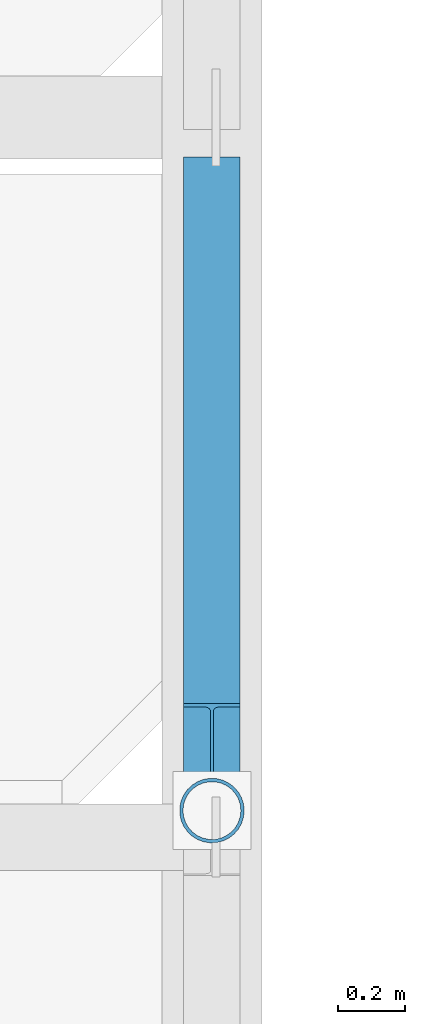
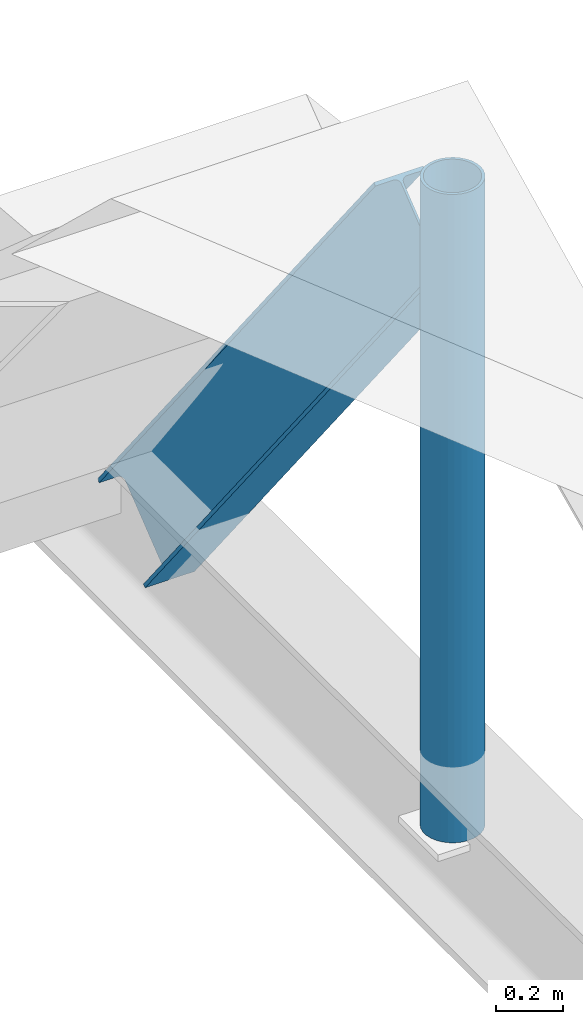
# One storey, part 83 of 138: 1 beam, 1 member.
"""IFC4 building model written with IfcOpenShell, lengths in metres."""

from ifc_helpers import new_model, si_unit, direction, frame, origin, origin_2d, place, context, subcontext, project, spatial, hollow_circle, i_section, extrude, material, material_profile, profile_set, type_object, element, save


model = new_model("IFC4")

# Units and contexts
model_context = context("Model", 3, precision=1e-05, world=origin(), true_north=direction((0.0, 1.0)))
body_context = subcontext(model_context, "Body", "Model", "MODEL_VIEW")
ifc_project = project(units=[si_unit("LENGTHUNIT", "METRE"), si_unit("AREAUNIT", "SQUARE_METRE"), si_unit("VOLUMEUNIT", "CUBIC_METRE"), si_unit("PLANEANGLEUNIT", "RADIAN"), si_unit("MASSUNIT", "GRAM", prefix="KILO")], contexts=[model_context])

# Site, building, storey
site_placement = place(None, origin())
site = spatial("IfcSite", under=ifc_project, at=site_placement, CompositionType="ELEMENT")
building_placement = place(site_placement, origin())
building = spatial("IfcBuilding", under=site, at=building_placement, Name="Vinh Khe Railworks Police Headquarters", CompositionType="ELEMENT")
storey_placement = place(building_placement, frame((0.0, 0.0, 9.0)))
storey = spatial("IfcBuildingStorey", under=building, at=storey_placement, Name="L02", CompositionType="ELEMENT", Elevation=9.0)

# Member
ifc_material = material(Name="Steel S355JR", Category="steel")
ifc_material_profile_1 = material_profile(ifc_material, hollow_circle(Radius=0.096923828125, WallThickness=0.010009765625, at=origin_2d()), Name="CHS 193.7x10")
ifc_profile_set_1 = profile_set([ifc_material_profile_1], Name="Steel S355JR")
member_type = type_object("IfcMemberType", Name="Roof Strut CHS 193.7x10", PredefinedType="STRUT", material=ifc_profile_set_1)
member_placement = place(storey_placement, frame((71.39990234375, 150.199951171875, 0.199951171875), z_axis=(0.0, 0.0, 1.0), x_axis=(1.0, 0.0, 0.0)))
element("IfcMember", 1, at=member_placement, inside=storey, type_object=member_type, Name="Sawtooth Ridge Post 2", PredefinedType="STRUT", context=body_context, shape_type="SweptSolid", body=[
    extrude(hollow_circle(Radius=0.096923828125, WallThickness=0.010009765625, at=origin_2d()), origin(), (0.0, 0.0, 1.0), 2.35009765625),
])

# Beam
ifc_material_profile_2 = material_profile(ifc_material, i_section(OverallWidth=0.169921875, OverallDepth=0.360107421875, WebThickness=0.008056640625, FlangeThickness=0.0126953125, FilletRadius=0.01806640625, at=origin_2d()), Name="IPE 360")
ifc_profile_set_2 = profile_set([ifc_material_profile_2], Name="Steel S355JR")
beam_type = type_object("IfcBeamType", Name="Steel Girder IPE 360", PredefinedType="BEAM", material=ifc_profile_set_2)
beam_placement = place(storey_placement, frame((71.39990234375, 150.3798828125, 2.25), z_axis=(0.0, 0.621013068577, -0.783800209656), x_axis=(-1.0, 0.0, 0.0)))
element("IfcBeam", 2, at=beam_placement, inside=storey, type_object=beam_type, Name="Sawtooth Clerestory Girder 2N", PredefinedType="BEAM", context=body_context, shape_type="SweptSolid", body=[
    extrude(i_section(OverallWidth=0.169921875, OverallDepth=0.360107421875, WebThickness=0.008056640625, FlangeThickness=0.0126953125, FilletRadius=0.01806640625, at=origin_2d()), origin(), (0.0, 0.0, 1.0), 2.64111328125),
])

save(model, "model.ifc")
